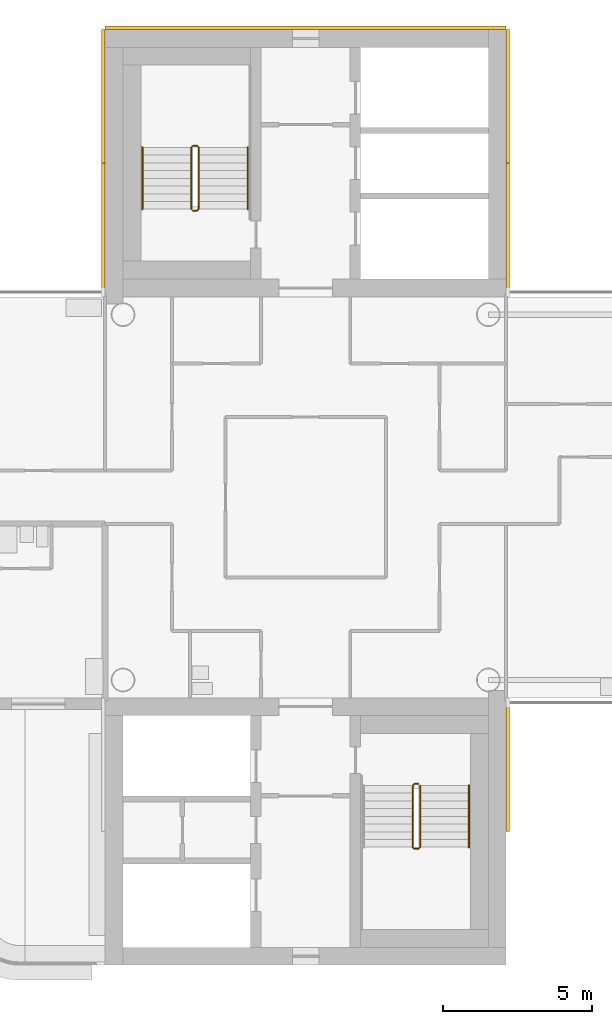
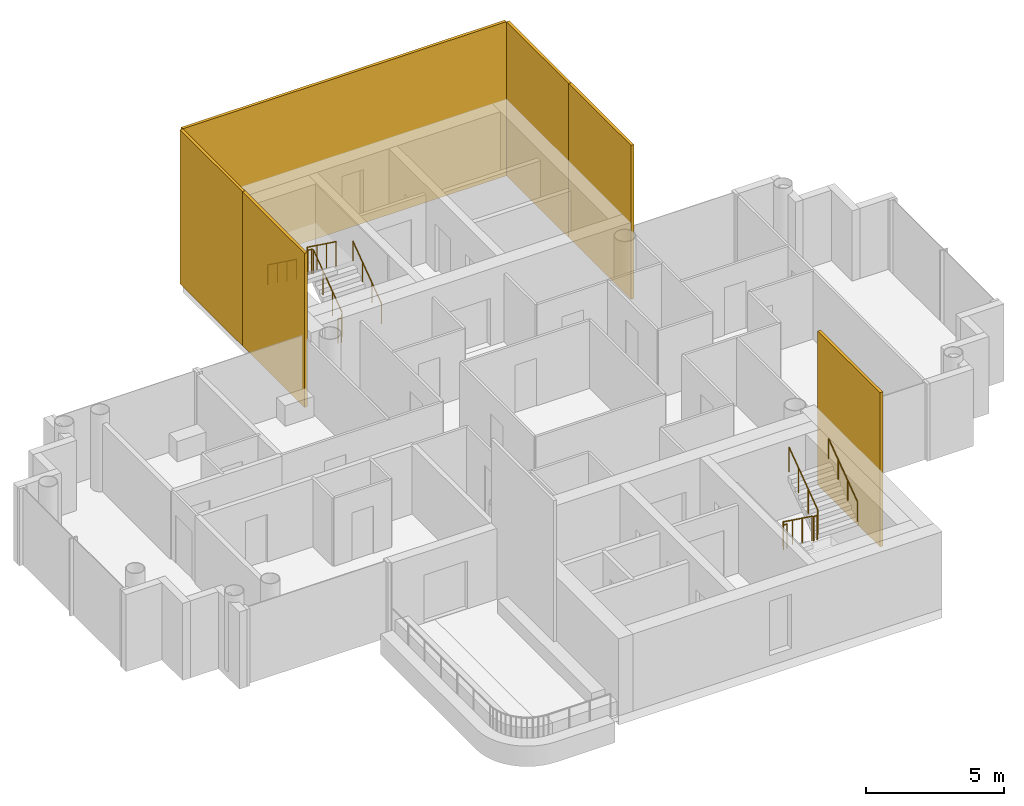
# One storey, part 17 of 18: 6 coverings, 5 railings.
"""IFC4 building model written with IfcOpenShell, lengths in metres."""

from ifc_helpers import new_model, si_unit, direction, frame, origin, origin_2d, place, context, subcontext, project, spatial, rectangle, circle, extrude, material, layer, layer_set, type_object, element, save


model = new_model("IFC4")

# Units and contexts
model_context = context("Model", 3, precision=1e-05, world=origin(), true_north=direction((0.0, 1.0)))
body_context = subcontext(model_context, "Body", "Model", "MODEL_VIEW")
ifc_project = project(units=[si_unit("LENGTHUNIT", "METRE"), si_unit("AREAUNIT", "SQUARE_METRE"), si_unit("VOLUMEUNIT", "CUBIC_METRE"), si_unit("PLANEANGLEUNIT", "RADIAN"), si_unit("MASSUNIT", "GRAM", prefix="KILO")], contexts=[model_context])

# Site, building, storey
site_placement = place(None, origin())
site = spatial("IfcSite", under=ifc_project, at=site_placement, CompositionType="ELEMENT")
building_placement = place(site_placement, origin())
building = spatial("IfcBuilding", under=site, at=building_placement, Name="Ipe Terrace Towers", CompositionType="ELEMENT")
storey_placement = place(building_placement, frame((0.0, 0.0, 206.199951171875)))
storey = spatial("IfcBuildingStorey", under=building, at=storey_placement, Name="L57", CompositionType="ELEMENT", Elevation=206.199951171875)

# Coverings
ifc_material_1 = material(Name="Concrete C50/60 precast, buff finish", Category="concrete")
ifc_layer = layer(ifc_material_1, 0.1201171875)
ifc_layer_set = layer_set([ifc_layer], Name="STONE CORE CLADDING 120")
covering_type = type_object("IfcCoveringType", Name="STONE CORE CLADDING 120", PredefinedType="CLADDING", material=ifc_layer_set)
for number, where, z_axis, x_axis, name in (
    (1, (29.18994140625, 9.0, 0.0), (0.0, 0.0, 1.0), (0.0, -1.0, 0.0), "stone core cladding"),
    (2, (29.18994140625, 13.5, 0.0), (0.0, 0.0, 1.0), (0.0, -1.0, 0.0), "stone core cladding"),
    (3, (42.81005859375, -9.0, 0.0), (0.0, 0.0, 1.0), (0.0, 1.0, 0.0), "stone core cladding"),
    (4, (42.81005859375, 9.0, 0.0), (0.0, 0.0, 1.0), (0.0, 1.0, 0.0), "stone core cladding"),
    (5, (42.81005859375, 13.5, 0.0), (0.0, 0.0, 1.0), (0.0, 1.0, 0.0), "stone core cladding"),
):
    element("IfcCovering", number, at=place(storey_placement, frame(where, z_axis=z_axis, x_axis=x_axis)), inside=storey, type_object=covering_type, Name=name, PredefinedType="CLADDING", context=body_context, shape_type="SweptSolid", body=[
        extrude(rectangle(XDim=4.5, YDim=0.1201171875, at=origin_2d()), origin(), (0.0, 0.0, 1.0), 6.800048828125),
    ])
covering_placement = place(storey_placement, frame((36.0, 15.81005859375, 0.0), z_axis=(0.0, 0.0, 1.0), x_axis=(-1.0, 0.0, 0.0)))
element("IfcCovering", 6, at=covering_placement, inside=storey, type_object=covering_type, Name="stone core cladding", PredefinedType="CLADDING", context=body_context, shape_type="SweptSolid", body=[
    extrude(rectangle(XDim=13.5, YDim=0.1201171875, at=origin_2d()), origin(), (0.0, 0.0, 1.0), 6.800048828125),
])

# Railings
ifc_material_2 = material(Name="Steel S355", Category="steel")
railing_type_1 = type_object("IfcRailingType", Name="Stair guard 1100", PredefinedType="GUARDRAIL", material=ifc_material_2)
railing_1_placement = place(storey_placement, frame((32.199951171875, 9.64990234375, 0.0)))
element("IfcRailing", 7, at=railing_1_placement, inside=storey, type_object=railing_type_1, Name="L57 T2-ST1 stair guard 1", PredefinedType="GUARDRAIL", context=body_context, shape_type="SweptSolid", body=[
    extrude(circle(Radius=0.02392578125, at=origin_2d()), frame((0.0, 0.0, 1.076171875), z_axis=(1.0, 0.0, 0.0), x_axis=(0.0, 1.0, 0.0)), (0.0, 0.0, 1.0), 0.150146484375),
    extrude(circle(Radius=0.02392578125, at=origin_2d()), frame((0.150146484375, 0.0, 1.076171875), z_axis=(0.246893586699, 0.248103849378, 0.936743314239), x_axis=(-0.708833529934, 0.705375805398, 0.0)), (0.0, 0.0, 1.0), 0.20166015625),
    extrude(circle(Radius=0.02392578125, at=origin_2d()), frame((0.199951171875, 0.050048828125, 1.26513671875), z_axis=(0.0, 0.809068575486, 0.587714250432), x_axis=(-1.0, 0.0, 0.0)), (0.0, 0.0, 1.0), 2.571044921875),
    extrude(circle(Radius=0.02392578125, at=origin_2d()), frame((0.199951171875, 2.130126953125, 2.77587890625), z_axis=(-0.705375805398, 0.708833529934, 0.0), x_axis=(-0.708833529934, -0.705375805398, 0.0)), (0.0, 0.0, 1.0), 0.070556640625),
    extrude(circle(Radius=0.02392578125, at=origin_2d()), frame((0.150146484375, 2.18017578125, 2.77587890625), z_axis=(-1.0, 0.0, 0.0), x_axis=(0.0, -1.0, 0.0)), (0.0, 0.0, 1.0), 0.150146484375),
    extrude(circle(Radius=0.02392578125, at=origin_2d()), frame((0.0, 2.18017578125, 2.77587890625), z_axis=(-0.248029566107, -0.248029566107, 0.936462849596), x_axis=(0.707106781187, -0.707106781187, 0.0)), (0.0, 0.0, 1.0), 0.201904296875),
    extrude(circle(Radius=0.02392578125, at=origin_2d()), frame((-0.050048828125, 2.130126953125, 2.96484375), z_axis=(0.0, -0.809023421508, 0.587776406001), x_axis=(1.0, 0.0, 0.0)), (0.0, 0.0, 1.0), 2.571044921875),
    extrude(circle(Radius=0.02099609375, at=origin_2d()), origin(), (0.0, 0.0, 1.0), 1.052001953125),
    extrude(circle(Radius=0.02099609375, at=origin_2d()), frame((0.150146484375, 0.0, 0.0)), (0.0, 0.0, 1.0), 1.052001953125),
    extrude(circle(Radius=0.02099609375, at=origin_2d()), frame((0.199951171875, 0.050048828125, 0.18896484375)), (0.0, 0.0, 1.0), 1.052001953125),
    extrude(circle(Radius=0.02099609375, at=origin_2d()), frame((0.199951171875, 0.743408203125, 0.692626953125)), (0.0, 0.0, 1.0), 1.052001953125),
    extrude(circle(Radius=0.02099609375, at=origin_2d()), frame((0.199951171875, 1.436767578125, 1.1962890625)), (0.0, 0.0, 1.0), 1.052001953125),
    extrude(circle(Radius=0.02099609375, at=origin_2d()), frame((0.199951171875, 2.130126953125, 1.699951171875)), (0.0, 0.0, 1.0), 1.052001953125),
    extrude(circle(Radius=0.02099609375, at=origin_2d()), frame((0.150146484375, 2.18017578125, 1.699951171875)), (0.0, 0.0, 1.0), 1.052001953125),
    extrude(circle(Radius=0.02099609375, at=origin_2d()), frame((0.0, 2.18017578125, 1.699951171875)), (0.0, 0.0, 1.0), 1.052001953125),
    extrude(circle(Radius=0.02099609375, at=origin_2d()), frame((-0.050048828125, 2.130126953125, 1.888916015625)), (0.0, 0.0, 1.0), 1.052001953125),
    extrude(circle(Radius=0.02099609375, at=origin_2d()), frame((-0.050048828125, 1.436767578125, 2.392578125)), (0.0, 0.0, 1.0), 1.052001953125),
    extrude(circle(Radius=0.02099609375, at=origin_2d()), frame((-0.050048828125, 0.743408203125, 2.896484375)), (0.0, 0.0, 1.0), 1.052001953125),
    extrude(circle(Radius=0.02099609375, at=origin_2d()), frame((-0.050048828125, 0.050048828125, 3.400146484375)), (0.0, 0.0, 1.0), 1.052001953125),
])
railing_2_placement = place(storey_placement, frame((39.800048828125, -9.64990234375, 0.0)))
element("IfcRailing", 8, at=railing_2_placement, inside=storey, type_object=railing_type_1, Name="L57 T2-ST2 stair guard 1", PredefinedType="GUARDRAIL", context=body_context, shape_type="SweptSolid", body=[
    extrude(circle(Radius=0.02392578125, at=origin_2d()), frame((0.0, 0.0, 1.076171875), z_axis=(-1.0, 0.0, 0.0), x_axis=(0.0, -1.0, 0.0)), (0.0, 0.0, 1.0), 0.150146484375),
    extrude(circle(Radius=0.02392578125, at=origin_2d()), frame((-0.150146484375, 0.0, 1.076171875), z_axis=(-0.246893586699, -0.248103849378, 0.936743314239), x_axis=(0.708833529934, -0.705375805398, 0.0)), (0.0, 0.0, 1.0), 0.20166015625),
    extrude(circle(Radius=0.02392578125, at=origin_2d()), frame((-0.199951171875, -0.050048828125, 1.26513671875), z_axis=(0.0, -0.809068575486, 0.587714250432), x_axis=(1.0, 0.0, 0.0)), (0.0, 0.0, 1.0), 2.571044921875),
    extrude(circle(Radius=0.02392578125, at=origin_2d()), frame((-0.199951171875, -2.130126953125, 2.77587890625), z_axis=(0.705375805398, -0.708833529934, 0.0), x_axis=(0.708833529934, 0.705375805398, 0.0)), (0.0, 0.0, 1.0), 0.070556640625),
    extrude(circle(Radius=0.02392578125, at=origin_2d()), frame((-0.150146484375, -2.18017578125, 2.77587890625), z_axis=(1.0, 0.0, 0.0), x_axis=(0.0, 1.0, 0.0)), (0.0, 0.0, 1.0), 0.150146484375),
    extrude(circle(Radius=0.02392578125, at=origin_2d()), frame((0.0, -2.18017578125, 2.77587890625), z_axis=(0.248029566107, 0.248029566107, 0.936462849596), x_axis=(-0.707106781187, 0.707106781187, 0.0)), (0.0, 0.0, 1.0), 0.201904296875),
    extrude(circle(Radius=0.02392578125, at=origin_2d()), frame((0.050048828125, -2.130126953125, 2.96484375), z_axis=(0.0, 0.809023421508, 0.587776406001), x_axis=(-1.0, 0.0, 0.0)), (0.0, 0.0, 1.0), 2.571044921875),
    extrude(circle(Radius=0.02099609375, at=origin_2d()), origin(), (0.0, 0.0, 1.0), 1.052001953125),
    extrude(circle(Radius=0.02099609375, at=origin_2d()), frame((-0.150146484375, 0.0, 0.0)), (0.0, 0.0, 1.0), 1.052001953125),
    extrude(circle(Radius=0.02099609375, at=origin_2d()), frame((-0.199951171875, -0.050048828125, 0.18896484375)), (0.0, 0.0, 1.0), 1.052001953125),
    extrude(circle(Radius=0.02099609375, at=origin_2d()), frame((-0.199951171875, -0.743408203125, 0.692626953125)), (0.0, 0.0, 1.0), 1.052001953125),
    extrude(circle(Radius=0.02099609375, at=origin_2d()), frame((-0.199951171875, -1.436767578125, 1.1962890625)), (0.0, 0.0, 1.0), 1.052001953125),
    extrude(circle(Radius=0.02099609375, at=origin_2d()), frame((-0.199951171875, -2.130126953125, 1.699951171875)), (0.0, 0.0, 1.0), 1.052001953125),
    extrude(circle(Radius=0.02099609375, at=origin_2d()), frame((-0.150146484375, -2.18017578125, 1.699951171875)), (0.0, 0.0, 1.0), 1.052001953125),
    extrude(circle(Radius=0.02099609375, at=origin_2d()), frame((0.0, -2.18017578125, 1.699951171875)), (0.0, 0.0, 1.0), 1.052001953125),
    extrude(circle(Radius=0.02099609375, at=origin_2d()), frame((0.050048828125, -2.130126953125, 1.888916015625)), (0.0, 0.0, 1.0), 1.052001953125),
    extrude(circle(Radius=0.02099609375, at=origin_2d()), frame((0.050048828125, -1.436767578125, 2.392578125)), (0.0, 0.0, 1.0), 1.052001953125),
    extrude(circle(Radius=0.02099609375, at=origin_2d()), frame((0.050048828125, -0.743408203125, 2.896484375)), (0.0, 0.0, 1.0), 1.052001953125),
    extrude(circle(Radius=0.02099609375, at=origin_2d()), frame((0.050048828125, -0.050048828125, 3.400146484375)), (0.0, 0.0, 1.0), 1.052001953125),
])
ifc_material_3 = material(Name="Stainless steel grade 304", Category="steel")
railing_type_2 = type_object("IfcRailingType", Name="Stair handrail 900", PredefinedType="HANDRAIL", material=ifc_material_3)
railing_3_placement = place(storey_placement, frame((34.050048828125, 9.699951171875, 0.18896484375)))
element("IfcRailing", 9, at=railing_3_placement, inside=storey, type_object=railing_type_2, Name="L57 T2-ST1 stair handrail 1", PredefinedType="HANDRAIL", context=body_context, shape_type="SweptSolid", body=[
    extrude(circle(Radius=0.02392578125, at=origin_2d()), frame((0.0, 0.0, 0.8759765625), z_axis=(0.0, 0.809068575486, 0.587714250432), x_axis=(-1.0, 0.0, 0.0)), (0.0, 0.0, 1.0), 2.571044921875),
    extrude(circle(Radius=0.02099609375, at=origin_2d()), origin(), (0.0, 0.0, 1.0), 0.851806640625),
    extrude(circle(Radius=0.02099609375, at=origin_2d()), frame((0.0, 0.693359375, 0.503662109375)), (0.0, 0.0, 1.0), 0.851806640625),
    extrude(circle(Radius=0.02099609375, at=origin_2d()), frame((0.0, 1.38671875, 1.00732421875)), (0.0, 0.0, 1.0), 0.851806640625),
    extrude(circle(Radius=0.02099609375, at=origin_2d()), frame((0.0, 2.080078125, 1.510986328125)), (0.0, 0.0, 1.0), 0.851806640625),
])
railing_4_placement = place(storey_placement, frame((30.5, 11.780029296875, 1.888916015625)))
element("IfcRailing", 10, at=railing_4_placement, inside=storey, type_object=railing_type_2, Name="L57 T2-ST1 stair handrail 2", PredefinedType="HANDRAIL", context=body_context, shape_type="SweptSolid", body=[
    extrude(circle(Radius=0.02392578125, at=origin_2d()), frame((0.0, 0.0, 0.8759765625), z_axis=(0.0, -0.809023421508, 0.587776406001), x_axis=(1.0, 0.0, 0.0)), (0.0, 0.0, 1.0), 2.571044921875),
    extrude(circle(Radius=0.02099609375, at=origin_2d()), origin(), (0.0, 0.0, 1.0), 0.851806640625),
    extrude(circle(Radius=0.02099609375, at=origin_2d()), frame((0.0, -0.693359375, 0.503662109375)), (0.0, 0.0, 1.0), 0.851806640625),
    extrude(circle(Radius=0.02099609375, at=origin_2d()), frame((0.0, -1.38671875, 1.007568359375)), (0.0, 0.0, 1.0), 0.851806640625),
    extrude(circle(Radius=0.02099609375, at=origin_2d()), frame((0.0, -2.080078125, 1.51123046875)), (0.0, 0.0, 1.0), 0.851806640625),
])
railing_5_placement = place(storey_placement, frame((41.5, -11.780029296875, 1.888916015625)))
element("IfcRailing", 11, at=railing_5_placement, inside=storey, type_object=railing_type_2, Name="L57 T2-ST2 stair handrail 2", PredefinedType="HANDRAIL", context=body_context, shape_type="SweptSolid", body=[
    extrude(circle(Radius=0.02392578125, at=origin_2d()), frame((0.0, 0.0, 0.8759765625), z_axis=(0.0, 0.809023421508, 0.587776406001), x_axis=(-1.0, 0.0, 0.0)), (0.0, 0.0, 1.0), 2.571044921875),
    extrude(circle(Radius=0.02099609375, at=origin_2d()), origin(), (0.0, 0.0, 1.0), 0.851806640625),
    extrude(circle(Radius=0.02099609375, at=origin_2d()), frame((0.0, 0.693359375, 0.503662109375)), (0.0, 0.0, 1.0), 0.851806640625),
    extrude(circle(Radius=0.02099609375, at=origin_2d()), frame((0.0, 1.38671875, 1.007568359375)), (0.0, 0.0, 1.0), 0.851806640625),
    extrude(circle(Radius=0.02099609375, at=origin_2d()), frame((0.0, 2.080078125, 1.51123046875)), (0.0, 0.0, 1.0), 0.851806640625),
])

save(model, "model.ifc")
